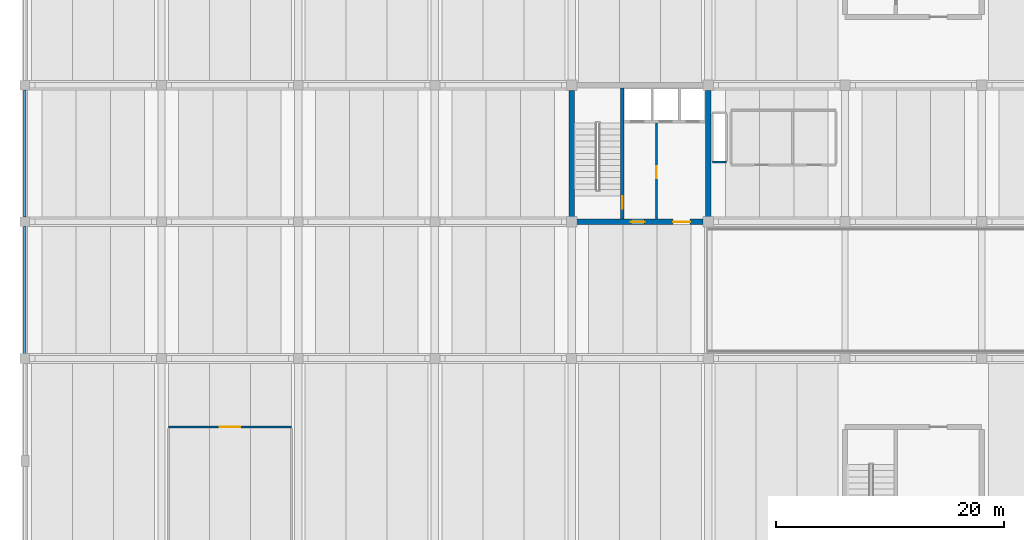
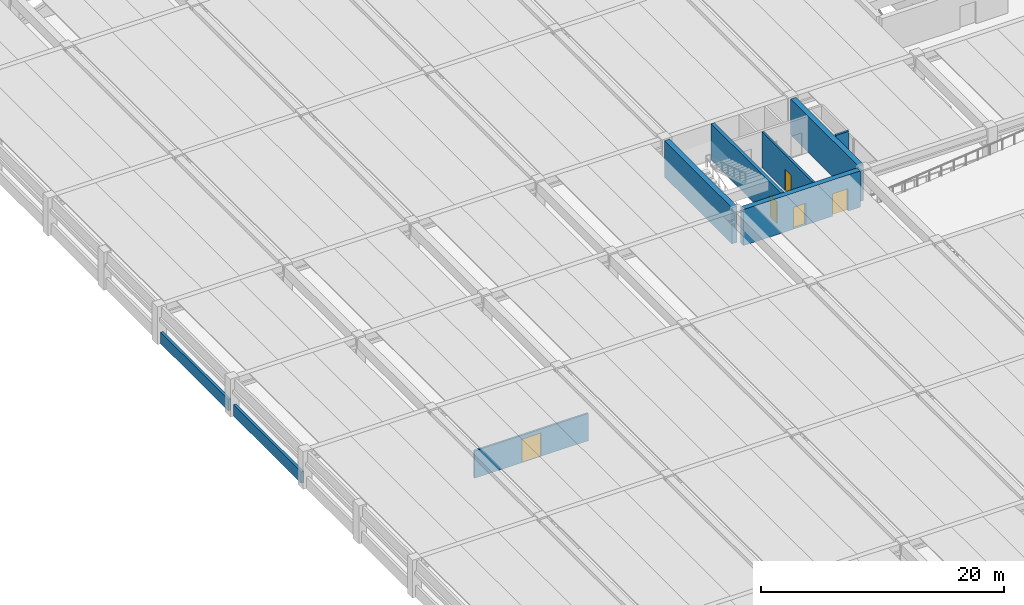
# One storey, part 7 of 19: 9 walls, 5 doors, 5 openings.
"""IFC4 building model written with IfcOpenShell, lengths in metres."""

import ifcopenshell
import ifcopenshell.guid

model = None  # the IFC model being written
_history = None  # IfcOwnerHistory: only IFC2X3 demands one
_inside = {}  # id of a spatial element -> (the spatial element, [elements in it])
_under = {}  # id of a project, library or spatial element -> (it, [spatial elements below it])
_declared = {}  # id of a project -> (the project, [libraries it declares])
_typed = {}  # id of a type object -> (the type object, [elements of that type])
_made_of = {}  # id of a material, layer set ... -> (it, [elements and type objects made of it])


def new_model(schema):
    """Start an empty IFC model of exactly this schema.

    Asked for "IFC4X3", IfcOpenShell would pick the latest addendum, in which some entities
    have other attributes; the version numbers below select the first issue.
    IFC2X3 requires an IfcOwnerHistory on every rooted entity: one is made here for all.
    """
    global model, _history
    if schema == "IFC4X3":
        model = ifcopenshell.file(schema_version=(4, 3, 0, 0))
    else:
        model = ifcopenshell.file(schema=schema)
    _inside.clear()
    _under.clear()
    _declared.clear()
    _typed.clear()
    _made_of.clear()
    _history = None
    if model.schema == "IFC2X3":
        org = make("IfcOrganization", Name="unknown")
        user = make(
            "IfcPersonAndOrganization",
            ThePerson=make("IfcPerson", FamilyName="unknown"),
            TheOrganization=org,
        )
        app = make(
            "IfcApplication",
            ApplicationDeveloper=org,
            Version="unknown",
            ApplicationFullName="unknown",
            ApplicationIdentifier="unknown",
        )
        _history = make(
            "IfcOwnerHistory",
            OwningUser=user,
            OwningApplication=app,
            ChangeAction="ADDED",
            CreationDate=0,
        )
    return model


def make(cls, **values):
    """One entity of the class cls with the attributes given. An attribute that is None is left unset."""
    return model.create_entity(
        cls, **{name: value for name, value in values.items() if value is not None}
    )


def rooted(cls, **values):
    """An entity with a GlobalId (a new one), such as an element, a storey or a relation."""
    return make(cls, GlobalId=ifcopenshell.guid.new(), OwnerHistory=_history, **values)


def si_unit(unit_type, name, prefix=None):
    """IfcSIUnit, for example si_unit("LENGTHUNIT", "METRE", prefix="MILLI")."""
    return make("IfcSIUnit", UnitType=unit_type, Prefix=prefix, Name=name)


def assignment(units):
    """IfcUnitAssignment: the units of a project."""
    return None if units is None else make("IfcUnitAssignment", Units=units)


def point(xyz):
    """IfcCartesianPoint."""
    return None if xyz is None else make("IfcCartesianPoint", Coordinates=xyz)


def direction(xyz):
    """IfcDirection."""
    return None if xyz is None else make("IfcDirection", DirectionRatios=xyz)


def frame(location, z_axis=None, x_axis=None):
    """IfcAxis2Placement3D, a coordinate frame: its origin and axes. An axis left out is left unset."""
    return make(
        "IfcAxis2Placement3D",
        Location=point(location),
        Axis=direction(z_axis),
        RefDirection=direction(x_axis),
    )


def frame_2d(location, x_axis=None):
    """IfcAxis2Placement2D, a coordinate frame in the plane: its origin and x axis."""
    return make(
        "IfcAxis2Placement2D", Location=point(location), RefDirection=direction(x_axis)
    )


def origin():
    """The frame at (0, 0, 0) with its axes left unset."""
    return frame((0.0, 0.0, 0.0))


def place(relative_to, where):
    """IfcLocalPlacement: puts the frame where relative to a parent placement (None: the world)."""
    return make(
        "IfcLocalPlacement", PlacementRelTo=relative_to, RelativePlacement=where
    )


def context(
    kind, dimensions, precision=None, world=None, true_north=None, identifier=None
):
    """IfcGeometricRepresentationContext, for example the 3D "Model" context."""
    return make(
        "IfcGeometricRepresentationContext",
        ContextIdentifier=identifier,
        ContextType=kind,
        CoordinateSpaceDimension=dimensions,
        Precision=precision,
        WorldCoordinateSystem=world,
        TrueNorth=true_north,
    )


def subcontext(parent, identifier, kind, view, scale=None):
    """IfcGeometricRepresentationSubContext, for example "Body" below "Model"."""
    return make(
        "IfcGeometricRepresentationSubContext",
        ContextIdentifier=identifier,
        ContextType=kind,
        ParentContext=parent,
        TargetScale=scale,
        TargetView=view,
    )


def project(units=None, contexts=None):
    """IfcProject with its units and contexts."""
    return rooted(
        "IfcProject",
        Name="project",
        RepresentationContexts=contexts,
        UnitsInContext=assignment(units),
    )


def spatial(cls, under=None, at=None, **own):
    """A site, building, storey or space (cls), placed at a placement, below another one or the project."""
    s = rooted(cls, ObjectPlacement=at, **own)
    if under is not None:
        _under.setdefault(under.id(), (under, []))[1].append(s)
    return s


def profile(cls, at=None, kind="AREA", **sizes):
    """A parametric profile (cls). Its sizes go by their IFC names, for example OverallWidth=200.0."""
    return make(cls, ProfileType=kind, Position=at, **sizes)


def rectangle(**sizes):
    """IfcRectangleProfileDef."""
    return profile("IfcRectangleProfileDef", **sizes)


def extrude(swept, where, along, depth):
    """IfcExtrudedAreaSolid: the profile swept, set in the frame where, extruded along a direction by depth."""
    return make(
        "IfcExtrudedAreaSolid",
        SweptArea=swept,
        Position=where,
        ExtrudedDirection=direction(along),
        Depth=depth,
    )


def shape(context_of_items, identifier, shape_type, items):
    """IfcShapeRepresentation: the items that make up one representation, for example the "Body"."""
    return make(
        "IfcShapeRepresentation",
        ContextOfItems=context_of_items,
        RepresentationIdentifier=identifier,
        RepresentationType=shape_type,
        Items=items,
    )


def material(Name=None, Category=None):
    """IfcMaterial."""
    return make("IfcMaterial", Name=Name, Category=Category)


def layer(
    of_material, thickness, ventilated=None, Name=None, Category=None, Priority=None
):
    """IfcMaterialLayer: one layer of a wall or slab, of a material (None: an air gap)."""
    return make(
        "IfcMaterialLayer",
        Material=of_material,
        LayerThickness=thickness,
        IsVentilated=ventilated,
        Name=Name,
        Category=Category,
        Priority=Priority,
    )


def layer_set(layers, Name=None):
    """IfcMaterialLayerSet."""
    return make("IfcMaterialLayerSet", MaterialLayers=layers, LayerSetName=Name)


def made_of(thing, what):
    """Note that an element or type object is made of a material, layer set ...; save() writes the relation."""
    if what is not None:
        _made_of.setdefault(what.id(), (what, []))[1].append(thing)
    return thing


def type_object(cls, material=None, **own):
    """A type object (cls), such as IfcWallType, which elements share."""
    return made_of(rooted(cls, **own), material)


def element(
    cls,
    number,
    at=None,
    inside=None,
    cuts=None,
    type_object=None,
    material=None,
    context=None,
    identifier="Body",
    shape_type=None,
    held_by="IfcProductDefinitionShape",
    body=None,
    shapes=None,
    **own,
):
    """One element of the class cls, such as IfcWall. Its Tag is "e" and its number.

    at: its placement. inside: the storey or other place that contains it. cuts: it is an
    opening in that element (IfcRelVoidsElement). A single representation is given by context,
    identifier, shape_type and body (its items); several are given by shapes. held_by: the class
    of the entity that holds the representations. save() writes the other relations.
    """
    e = rooted(cls, Tag="e%d" % number, ObjectPlacement=at, **own)
    if body is not None:
        shapes = [shape(context, identifier, shape_type, body)]
    if shapes is not None:
        e.Representation = make(held_by, Representations=shapes)
    if inside is not None:
        _inside.setdefault(inside.id(), (inside, []))[1].append(e)
    if cuts is not None:
        rooted(
            "IfcRelVoidsElement", RelatingBuildingElement=cuts, RelatedOpeningElement=e
        )
    if type_object is not None:
        _typed.setdefault(type_object.id(), (type_object, []))[1].append(e)
    return made_of(e, material)


def fill(opening, filler):
    """IfcRelFillsElement: the door or window that sits in an opening."""
    return rooted(
        "IfcRelFillsElement",
        RelatingOpeningElement=opening,
        RelatedBuildingElement=filler,
    )


def aggregate(whole, parts):
    """IfcRelAggregates: a whole, such as a stair, and the parts it consists of."""
    return rooted("IfcRelAggregates", RelatingObject=whole, RelatedObjects=parts)


def save(model, path):
    """Write the relations noted so far, then the file.

    IfcRelAggregates (storeys below a building ...), IfcRelContainedInSpatialStructure (elements
    in a storey), IfcRelDefinesByType, IfcRelAssociatesMaterial and IfcRelDeclares: one each for
    every whole, place, type object, material and project.
    """
    for whole, parts in _under.values():
        aggregate(whole, parts)
    for where, things in _inside.values():
        rooted(
            "IfcRelContainedInSpatialStructure",
            RelatedElements=things,
            RelatingStructure=where,
        )
    for kind, things in _typed.values():
        rooted("IfcRelDefinesByType", RelatedObjects=things, RelatingType=kind)
    for what, things in _made_of.values():
        rooted("IfcRelAssociatesMaterial", RelatedObjects=things, RelatingMaterial=what)
    for by, libraries in _declared.values():
        rooted("IfcRelDeclares", RelatingContext=by, RelatedDefinitions=libraries)
    model.write(path)


model = new_model("IFC4")

# Units and contexts
model_context = context("Model", 3, precision=1e-05, world=origin(), true_north=direction((0.0, 1.0)))
body_context = subcontext(model_context, "Body", "Model", "MODEL_VIEW")
ifc_project = project(units=[si_unit("LENGTHUNIT", "METRE"), si_unit("AREAUNIT", "SQUARE_METRE"), si_unit("VOLUMEUNIT", "CUBIC_METRE"), si_unit("PLANEANGLEUNIT", "RADIAN"), si_unit("MASSUNIT", "GRAM", prefix="KILO")], contexts=[model_context])

# Site, building, storey
site_placement = place(None, origin())
site = spatial("IfcSite", under=ifc_project, at=site_placement, CompositionType="ELEMENT")
building_placement = place(site_placement, origin())
building = spatial("IfcBuilding", under=site, at=building_placement, Name="Girod Span Mobility Hub", CompositionType="ELEMENT")
storey_placement = place(building_placement, frame((0.0, 0.0, 9.60009765625)))
storey = spatial("IfcBuildingStorey", under=building, at=storey_placement, Name="L02", CompositionType="ELEMENT", Elevation=9.60009765625)

# Wall, openings, doors
ifc_material_1 = material(Name="Concrete C40/50", Category="concrete")
ifc_layer_1 = layer(ifc_material_1, 0.5)
ifc_layer_set_1 = layer_set([ifc_layer_1], Name="Concrete C40/50")
wall_type_1 = type_object("IfcWallType", Name="W-CW-500", PredefinedType="SHEAR", material=ifc_layer_set_1)
wall_1_placement = place(storey_placement, frame((48.447021484375, 57.0, 0.0), z_axis=(0.0, 0.0, 1.0), x_axis=(1.0, 0.0, 0.0)))
wall_1 = element("IfcWall", 1, at=wall_1_placement, inside=storey, type_object=wall_type_1, Name="Core C1 Shear Wall S L02", PredefinedType="SHEAR", context=body_context, shape_type="SweptSolid", body=[
    extrude(rectangle(XDim=11.10595703125, YDim=0.5, at=frame_2d((5.552978515625, 0.0))), origin(), (0.0, 0.0, 1.0), 3.637939453125),
])
opening_1_placement = place(wall_1_placement, frame((4.7529296875, 0.0, 0.0)))
opening_1 = element("IfcOpeningElement", 2, at=opening_1_placement, cuts=wall_1, Name="Opening D-FL-C1-L02", PredefinedType="OPENING", context=body_context, shape_type="SweptSolid", body=[
    extrude(rectangle(XDim=1.199951171875, YDim=2.199951171875, at=frame_2d((0.60009765625, 1.10009765625))), frame((0.0, 0.264892578125, 0.0), z_axis=(0.0, -1.0, 0.0), x_axis=(1.0, 0.0, 0.0)), (0.0, 0.0, 1.0), 0.530029296875),
])
opening_2_placement = place(wall_1_placement, frame((8.452880859375, 0.0, 0.0)))
opening_2 = element("IfcOpeningElement", 3, at=opening_2_placement, cuts=wall_1, Name="Opening D-LB-C1-L02", PredefinedType="OPENING", context=body_context, shape_type="SweptSolid", body=[
    extrude(rectangle(XDim=1.5, YDim=2.25, at=frame_2d((0.75, 1.125))), frame((0.0, 0.264892578125, 0.0), z_axis=(0.0, -1.0, 0.0), x_axis=(1.0, 0.0, 0.0)), (0.0, 0.0, 1.0), 0.530029296875),
])
ifc_material_2 = material(Name="Fire-Rated Insulated Hollow Metal Steel", Category="steel")
door_type_1 = type_object("IfcDoorType", Name="DT-FD-03", OperationType="DOUBLE_DOOR_SINGLE_SWING", PredefinedType="DOOR", material=ifc_material_2)
door_1_placement = place(opening_2_placement, origin())
door_1 = element("IfcDoor", 4, at=door_1_placement, inside=storey, type_object=door_type_1, Name="Lift Lobby Entry Door C1 L02", OperationType="DOUBLE_DOOR_SINGLE_SWING", OverallHeight=2.25, OverallWidth=1.5, PredefinedType="DOOR", context=body_context, shape_type="SweptSolid", body=[
    extrude(rectangle(XDim=1.5, YDim=2.25, at=frame_2d((0.75, 1.125))), frame((0.0, 0.02490234375, 0.0), z_axis=(0.0, -1.0, 0.0), x_axis=(1.0, 0.0, 0.0)), (0.0, 0.0, 1.0), 0.050048828125),
])
fill(opening_2, door_1)
ifc_material_3 = material(Name="Fire-Rated Insulated Hollow Metal Steel", Category="steel")
door_type_2 = type_object("IfcDoorType", Name="DT-FD-05", OperationType="NOTDEFINED", PredefinedType="DOOR", material=ifc_material_3)
door_2_placement = place(opening_1_placement, origin())
door_2 = element("IfcDoor", 5, at=door_2_placement, inside=storey, type_object=door_type_2, Name="Firefighting Lobby Entry Door C1 L02", OperationType="SINGLE_SWING_RIGHT", OverallHeight=2.199951171875, OverallWidth=1.199951171875, PredefinedType="DOOR", context=body_context, shape_type="SweptSolid", body=[
    extrude(rectangle(XDim=1.199951171875, YDim=2.199951171875, at=frame_2d((0.60009765625, 1.10009765625))), frame((0.0, 0.02490234375, 0.0), z_axis=(0.0, -1.0, 0.0), x_axis=(1.0, 0.0, 0.0)), (0.0, 0.0, 1.0), 0.050048828125),
])
fill(opening_1, door_2)

# Walls
for number, where, z_axis, x_axis, name in (
    (6, (48.0, 57.447021484375, 0.0), (0.0, 0.0, 1.0), (0.0, 1.0, 0.0), "Core C1 Shear Wall W L02"),
    (7, (60.0, 57.447021484375, 0.0), (0.0, 0.0, 1.0), (0.0, 1.0, 0.0), "Core C1 Shear Wall E L02"),
):
    element("IfcWall", number, at=place(storey_placement, frame(where, z_axis=z_axis, x_axis=x_axis)), inside=storey, type_object=wall_type_1, Name=name, PredefinedType="SHEAR", context=body_context, shape_type="SweptSolid", body=[
        extrude(rectangle(XDim=11.10595703125, YDim=0.5, at=frame_2d((5.552978515625, 0.0))), origin(), (0.0, 0.0, 1.0), 3.637939453125),
    ])

# Wall, opening, door
ifc_material_4 = material(Name="Concrete C40/50", Category="concrete")
ifc_layer_2 = layer(ifc_material_4, 0.18994140625)
ifc_layer_set_2 = layer_set([ifc_layer_2], Name="Concrete C40/50")
wall_type_2 = type_object("IfcWallType", Name="W-FL-190", PredefinedType="SOLIDWALL", material=ifc_layer_set_2)
wall_2_placement = place(storey_placement, frame((55.449951171875, 57.25, 0.0), z_axis=(0.0, 0.0, 1.0), x_axis=(0.0, 1.0, 0.0)))
wall_2 = element("IfcWall", 8, at=wall_2_placement, inside=storey, type_object=wall_type_2, Name="Core C1 Firefighting Lobby Wall L02", PredefinedType="SOLIDWALL", context=body_context, shape_type="SweptSolid", body=[
    extrude(rectangle(XDim=8.429931640625, YDim=0.18994140625, at=frame_2d((4.21484375, 0.0))), origin(), (0.0, 0.0, 1.0), 3.6279296875),
])
opening_3_placement = place(wall_2_placement, frame((3.60009765625, 0.0, 0.0)))
opening_3 = element("IfcOpeningElement", 9, at=opening_3_placement, cuts=wall_2, Name="Opening D-FLX-C1-L02", PredefinedType="OPENING", context=body_context, shape_type="SweptSolid", body=[
    extrude(rectangle(XDim=1.0400390625, YDim=2.179931640625, at=frame_2d((0.52001953125, 1.08984375))), frame((0.0, 0.10986328125, 0.0), z_axis=(0.0, -1.0, 0.0), x_axis=(1.0, 0.0, 0.0)), (0.0, 0.0, 1.0), 0.219970703125),
])
ifc_material_5 = material(Name="Fire-Rated Insulated Hollow Metal Steel", Category="steel")
door_type_3 = type_object("IfcDoorType", Name="DT-FD-02", OperationType="NOTDEFINED", PredefinedType="DOOR", material=ifc_material_5)
door_3_placement = place(opening_3_placement, origin())
door_3 = element("IfcDoor", 10, at=door_3_placement, inside=storey, type_object=door_type_3, Name="Firefighting Lobby Interconnect Door C1 L02", OperationType="SINGLE_SWING_RIGHT", OverallHeight=2.179931640625, OverallWidth=1.0400390625, PredefinedType="DOOR", context=body_context, shape_type="SweptSolid", body=[
    extrude(rectangle(XDim=1.0400390625, YDim=2.179931640625, at=frame_2d((0.52001953125, 1.08984375))), frame((0.0, 0.02490234375, 0.0), z_axis=(0.0, -1.0, 0.0), x_axis=(1.0, 0.0, 0.0)), (0.0, 0.0, 1.0), 0.050048828125),
])
fill(opening_3, door_3)

ifc_material_6 = material(Name="Reinforced Concrete Masonry Block", Category="masonry")
ifc_layer_3 = layer(ifc_material_6, 0.179931640625)
ifc_layer_set_3 = layer_set([ifc_layer_3], Name="Reinforced Concrete Masonry Block")
wall_type_3 = type_object("IfcWallType", Name="W-FP-180", PredefinedType="SOLIDWALL", material=ifc_layer_set_3)
wall_3_placement = place(storey_placement, frame((12.60009765625, 39.0, 0.0), z_axis=(0.0, 0.0, 1.0), x_axis=(1.0, 0.0, 0.0)))
wall_3 = element("IfcWall", 11, at=wall_3_placement, inside=storey, type_object=wall_type_3, Name="Transformer Room L02 Partition N", PredefinedType="SOLIDWALL", context=body_context, shape_type="SweptSolid", body=[
    extrude(rectangle(XDim=10.7998046875, YDim=0.179931640625, at=frame_2d((5.39990234375, 0.0))), origin(), (0.0, 0.0, 1.0), 2.75),
])
opening_4_placement = place(wall_3_placement, frame((4.489990234375, 0.0, 0.0)))
opening_4 = element("IfcOpeningElement", 12, at=opening_4_placement, cuts=wall_3, Name="Opening D-L02-EV-TRF", PredefinedType="OPENING", context=body_context, shape_type="SweptSolid", body=[
    extrude(rectangle(XDim=1.820068359375, YDim=2.360107421875, at=frame_2d((0.91015625, 1.18017578125))), frame((0.0, 0.10498046875, 0.0), z_axis=(0.0, -1.0, 0.0), x_axis=(1.0, 0.0, 0.0)), (0.0, 0.0, 1.0), 0.2099609375),
])
ifc_material_7 = material(Name="Fire-Rated Insulated Hollow Metal Steel", Category="steel")
door_type_4 = type_object("IfcDoorType", Name="DT-FD-10", OperationType="DOUBLE_DOOR_SINGLE_SWING", PredefinedType="DOOR", material=ifc_material_7)
door_4_placement = place(opening_4_placement, origin())
door_4 = element("IfcDoor", 13, at=door_4_placement, inside=storey, type_object=door_type_4, Name="Transformer Room L02 Door", OperationType="DOUBLE_DOOR_SINGLE_SWING", OverallHeight=2.360107421875, OverallWidth=1.820068359375, PredefinedType="DOOR", context=body_context, shape_type="SweptSolid", body=[
    extrude(rectangle(XDim=1.820068359375, YDim=2.360107421875, at=frame_2d((0.91015625, 1.18017578125))), frame((0.0, 0.02490234375, 0.0), z_axis=(0.0, -1.0, 0.0), x_axis=(1.0, 0.0, 0.0)), (0.0, 0.0, 1.0), 0.050048828125),
])
fill(opening_4, door_4)

# Walls
ifc_material_8 = material(Name="Precast Architectural Concrete C40/50", Category="concrete")
ifc_layer_4 = layer(ifc_material_8, 0.239990234375)
ifc_layer_set_4 = layer_set([ifc_layer_4], Name="Precast Architectural Concrete C40/50")
wall_type_4 = type_object("IfcWallType", Name="W-PAR-240", PredefinedType="PARAPET", material=ifc_layer_set_4)
for number, where, z_axis, x_axis, name in (
    (14, (0.0, 45.423095703125, 0.0), (0.0, 0.0, 1.0), (0.0, 1.0, 0.0), "Precast Side Barrier Parapet W-D-1 L02"),
    (15, (0.0, 57.423095703125, 0.0), (0.0, 0.0, 1.0), (0.0, 1.0, 0.0), "Precast Side Barrier Parapet W-E-1 L02"),
):
    element("IfcWall", number, at=place(storey_placement, frame(where, z_axis=z_axis, x_axis=x_axis)), inside=storey, type_object=wall_type_4, Name=name, PredefinedType="PARAPET", context=body_context, shape_type="SweptSolid", body=[
        extrude(rectangle(XDim=11.15380859375, YDim=0.239990234375, at=frame_2d((5.576904296875, 0.0))), origin(), (0.0, 0.0, 1.0), 1.14990234375),
    ])
ifc_material_9 = material(Name="Concrete C40/50", Category="concrete")
ifc_layer_5 = layer(ifc_material_9, 0.199951171875)
ifc_layer_set_5 = layer_set([ifc_layer_5], Name="Concrete C40/50")
wall_type_5 = type_object("IfcWallType", Name="W-SH-200", PredefinedType="SOLIDWALL", material=ifc_layer_set_5)
wall_4_placement = place(storey_placement, frame((60.346923828125, 62.25, 0.0), z_axis=(0.0, 0.0, 1.0), x_axis=(1.0, 0.0, 0.0)))
element("IfcWall", 16, at=wall_4_placement, inside=storey, type_object=wall_type_5, Name="Sanitary Wet Riser Shaft Wall S L02", PredefinedType="SOLIDWALL", context=body_context, shape_type="SweptSolid", body=[
    extrude(rectangle(XDim=1.233154296875, YDim=0.199951171875, at=frame_2d((0.61669921875, 0.0))), origin(), (0.0, 0.0, 1.0), 3.637939453125),
])

# Wall, opening, door
ifc_material_10 = material(Name="Concrete C40/50", Category="concrete")
ifc_layer_6 = layer(ifc_material_10, 0.300048828125)
ifc_layer_set_6 = layer_set([ifc_layer_6], Name="Concrete C40/50")
wall_type_6 = type_object("IfcWallType", Name="W-SH-300", PredefinedType="SHEAR", material=ifc_layer_set_6)
wall_5_placement = place(storey_placement, frame((52.449951171875, 57.2470703125, 0.0), z_axis=(0.0, 0.0, 1.0), x_axis=(0.0, 1.0, 0.0)))
wall_5 = element("IfcWall", 17, at=wall_5_placement, inside=storey, type_object=wall_type_6, Name="Core C1 Stairwell Spine Wall L02", PredefinedType="SHEAR", context=body_context, shape_type="SweptSolid", body=[
    extrude(rectangle(XDim=11.505859375, YDim=0.300048828125, at=frame_2d((5.7529296875, 0.0))), origin(), (0.0, 0.0, 1.0), 3.637939453125),
])
opening_5_placement = place(wall_5_placement, frame((0.89990234375, 0.0, 0.0)))
opening_5 = element("IfcOpeningElement", 18, at=opening_5_placement, cuts=wall_5, Name="Opening D-ST-1-L02", PredefinedType="OPENING", context=body_context, shape_type="SweptSolid", body=[
    extrude(rectangle(XDim=1.10009765625, YDim=2.199951171875, at=frame_2d((0.550048828125, 1.10009765625))), frame((0.0, 0.1650390625, 0.0), z_axis=(0.0, -1.0, 0.0), x_axis=(1.0, 0.0, 0.0)), (0.0, 0.0, 1.0), 0.330078125),
])
ifc_material_11 = material(Name="Fire-Rated Insulated Hollow Metal Steel", Category="steel")
door_type_5 = type_object("IfcDoorType", Name="DT-FD-01", OperationType="NOTDEFINED", PredefinedType="DOOR", material=ifc_material_11)
door_5_placement = place(opening_5_placement, origin())
door_5 = element("IfcDoor", 19, at=door_5_placement, inside=storey, type_object=door_type_5, Name="Stair ST-1 Fire Door L02", OperationType="SINGLE_SWING_LEFT", OverallHeight=2.199951171875, OverallWidth=1.10009765625, PredefinedType="DOOR", context=body_context, shape_type="SweptSolid", body=[
    extrude(rectangle(XDim=1.10009765625, YDim=2.199951171875, at=frame_2d((0.550048828125, 1.10009765625))), frame((0.0, 0.02490234375, 0.0), z_axis=(0.0, -1.0, 0.0), x_axis=(1.0, 0.0, 0.0)), (0.0, 0.0, 1.0), 0.050048828125),
])
fill(opening_5, door_5)

save(model, "model.ifc")
